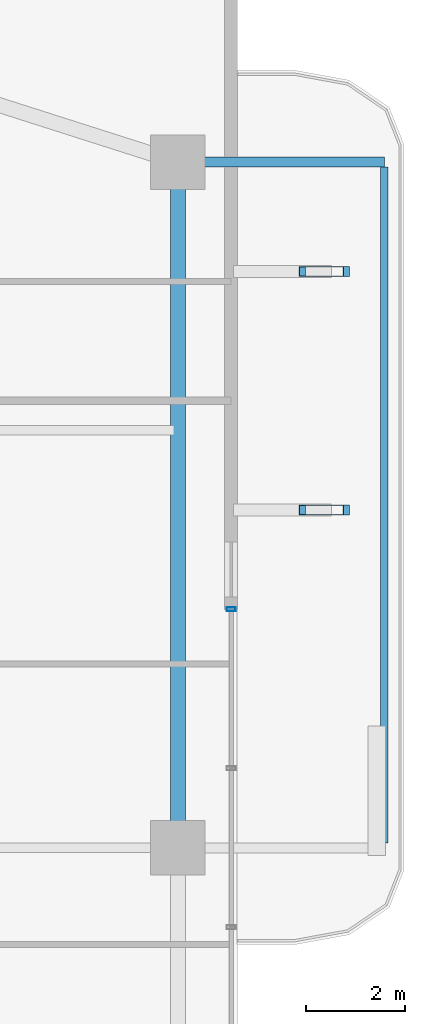
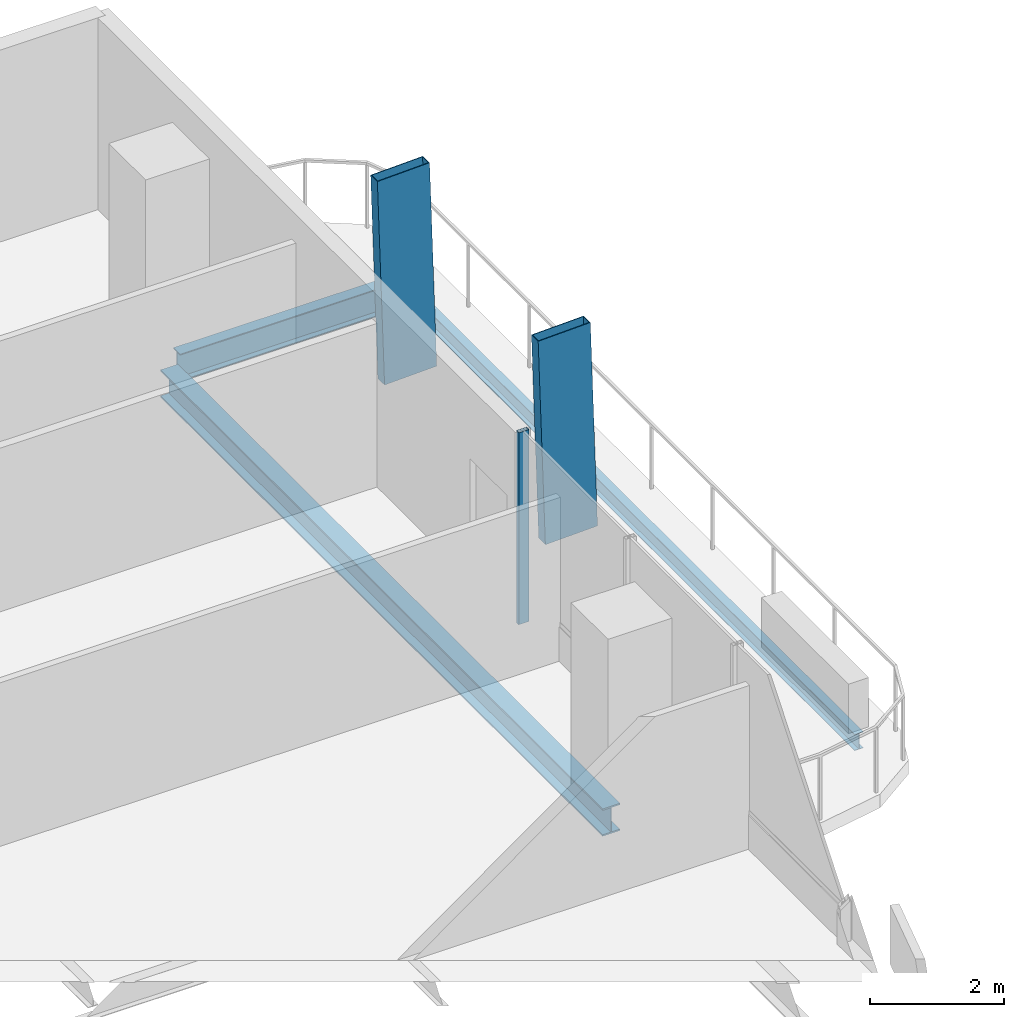
# One storey, part 15 of 25: 3 beams, 3 members, 1 element without a shape of its own.
"""IFC4 building model written with IfcOpenShell, lengths in metres."""

import ifcopenshell
import ifcopenshell.guid

model = None  # the IFC model being written
_history = None  # IfcOwnerHistory: only IFC2X3 demands one
_inside = {}  # id of a spatial element -> (the spatial element, [elements in it])
_under = {}  # id of a project, library or spatial element -> (it, [spatial elements below it])
_declared = {}  # id of a project -> (the project, [libraries it declares])
_typed = {}  # id of a type object -> (the type object, [elements of that type])
_made_of = {}  # id of a material, layer set ... -> (it, [elements and type objects made of it])


def new_model(schema):
    """Start an empty IFC model of exactly this schema.

    Asked for "IFC4X3", IfcOpenShell would pick the latest addendum, in which some entities
    have other attributes; the version numbers below select the first issue.
    IFC2X3 requires an IfcOwnerHistory on every rooted entity: one is made here for all.
    """
    global model, _history
    if schema == "IFC4X3":
        model = ifcopenshell.file(schema_version=(4, 3, 0, 0))
    else:
        model = ifcopenshell.file(schema=schema)
    _inside.clear()
    _under.clear()
    _declared.clear()
    _typed.clear()
    _made_of.clear()
    _history = None
    if model.schema == "IFC2X3":
        org = make("IfcOrganization", Name="unknown")
        user = make(
            "IfcPersonAndOrganization",
            ThePerson=make("IfcPerson", FamilyName="unknown"),
            TheOrganization=org,
        )
        app = make(
            "IfcApplication",
            ApplicationDeveloper=org,
            Version="unknown",
            ApplicationFullName="unknown",
            ApplicationIdentifier="unknown",
        )
        _history = make(
            "IfcOwnerHistory",
            OwningUser=user,
            OwningApplication=app,
            ChangeAction="ADDED",
            CreationDate=0,
        )
    return model


def make(cls, **values):
    """One entity of the class cls with the attributes given. An attribute that is None is left unset."""
    return model.create_entity(
        cls, **{name: value for name, value in values.items() if value is not None}
    )


def rooted(cls, **values):
    """An entity with a GlobalId (a new one), such as an element, a storey or a relation."""
    return make(cls, GlobalId=ifcopenshell.guid.new(), OwnerHistory=_history, **values)


def si_unit(unit_type, name, prefix=None):
    """IfcSIUnit, for example si_unit("LENGTHUNIT", "METRE", prefix="MILLI")."""
    return make("IfcSIUnit", UnitType=unit_type, Prefix=prefix, Name=name)


def assignment(units):
    """IfcUnitAssignment: the units of a project."""
    return None if units is None else make("IfcUnitAssignment", Units=units)


def point(xyz):
    """IfcCartesianPoint."""
    return None if xyz is None else make("IfcCartesianPoint", Coordinates=xyz)


def direction(xyz):
    """IfcDirection."""
    return None if xyz is None else make("IfcDirection", DirectionRatios=xyz)


def frame(location, z_axis=None, x_axis=None):
    """IfcAxis2Placement3D, a coordinate frame: its origin and axes. An axis left out is left unset."""
    return make(
        "IfcAxis2Placement3D",
        Location=point(location),
        Axis=direction(z_axis),
        RefDirection=direction(x_axis),
    )


def frame_2d(location, x_axis=None):
    """IfcAxis2Placement2D, a coordinate frame in the plane: its origin and x axis."""
    return make(
        "IfcAxis2Placement2D", Location=point(location), RefDirection=direction(x_axis)
    )


def origin():
    """The frame at (0, 0, 0) with its axes left unset."""
    return frame((0.0, 0.0, 0.0))


def origin_2d():
    """The frame at (0, 0) in the plane with its x axis left unset."""
    return frame_2d((0.0, 0.0))


def place(relative_to, where):
    """IfcLocalPlacement: puts the frame where relative to a parent placement (None: the world)."""
    return make(
        "IfcLocalPlacement", PlacementRelTo=relative_to, RelativePlacement=where
    )


def context(
    kind, dimensions, precision=None, world=None, true_north=None, identifier=None
):
    """IfcGeometricRepresentationContext, for example the 3D "Model" context."""
    return make(
        "IfcGeometricRepresentationContext",
        ContextIdentifier=identifier,
        ContextType=kind,
        CoordinateSpaceDimension=dimensions,
        Precision=precision,
        WorldCoordinateSystem=world,
        TrueNorth=true_north,
    )


def subcontext(parent, identifier, kind, view, scale=None):
    """IfcGeometricRepresentationSubContext, for example "Body" below "Model"."""
    return make(
        "IfcGeometricRepresentationSubContext",
        ContextIdentifier=identifier,
        ContextType=kind,
        ParentContext=parent,
        TargetScale=scale,
        TargetView=view,
    )


def project(units=None, contexts=None):
    """IfcProject with its units and contexts."""
    return rooted(
        "IfcProject",
        Name="project",
        RepresentationContexts=contexts,
        UnitsInContext=assignment(units),
    )


def spatial(cls, under=None, at=None, **own):
    """A site, building, storey or space (cls), placed at a placement, below another one or the project."""
    s = rooted(cls, ObjectPlacement=at, **own)
    if under is not None:
        _under.setdefault(under.id(), (under, []))[1].append(s)
    return s


def profile(cls, at=None, kind="AREA", **sizes):
    """A parametric profile (cls). Its sizes go by their IFC names, for example OverallWidth=200.0."""
    return make(cls, ProfileType=kind, Position=at, **sizes)


def hollow_rectangle(**sizes):
    """IfcRectangleHollowProfileDef."""
    return profile("IfcRectangleHollowProfileDef", **sizes)


def i_section(**sizes):
    """IfcIShapeProfileDef."""
    return profile("IfcIShapeProfileDef", **sizes)


def extrude(swept, where, along, depth):
    """IfcExtrudedAreaSolid: the profile swept, set in the frame where, extruded along a direction by depth."""
    return make(
        "IfcExtrudedAreaSolid",
        SweptArea=swept,
        Position=where,
        ExtrudedDirection=direction(along),
        Depth=depth,
    )


def shape(context_of_items, identifier, shape_type, items):
    """IfcShapeRepresentation: the items that make up one representation, for example the "Body"."""
    return make(
        "IfcShapeRepresentation",
        ContextOfItems=context_of_items,
        RepresentationIdentifier=identifier,
        RepresentationType=shape_type,
        Items=items,
    )


def material(Name=None, Category=None):
    """IfcMaterial."""
    return make("IfcMaterial", Name=Name, Category=Category)


def layer(
    of_material, thickness, ventilated=None, Name=None, Category=None, Priority=None
):
    """IfcMaterialLayer: one layer of a wall or slab, of a material (None: an air gap)."""
    return make(
        "IfcMaterialLayer",
        Material=of_material,
        LayerThickness=thickness,
        IsVentilated=ventilated,
        Name=Name,
        Category=Category,
        Priority=Priority,
    )


def layer_set(layers, Name=None):
    """IfcMaterialLayerSet."""
    return make("IfcMaterialLayerSet", MaterialLayers=layers, LayerSetName=Name)


def material_profile(
    of_material, cross_section, Name=None, Category=None, Priority=None
):
    """IfcMaterialProfile: a cross section and its material."""
    return make(
        "IfcMaterialProfile",
        Name=Name,
        Material=of_material,
        Profile=cross_section,
        Priority=Priority,
        Category=Category,
    )


def profile_set(profiles, Name=None, composite=None):
    """IfcMaterialProfileSet."""
    return make(
        "IfcMaterialProfileSet",
        Name=Name,
        MaterialProfiles=profiles,
        CompositeProfile=composite,
    )


def made_of(thing, what):
    """Note that an element or type object is made of a material, layer set ...; save() writes the relation."""
    if what is not None:
        _made_of.setdefault(what.id(), (what, []))[1].append(thing)
    return thing


def type_object(cls, material=None, **own):
    """A type object (cls), such as IfcWallType, which elements share."""
    return made_of(rooted(cls, **own), material)


def element(
    cls,
    number,
    at=None,
    inside=None,
    cuts=None,
    type_object=None,
    material=None,
    context=None,
    identifier="Body",
    shape_type=None,
    held_by="IfcProductDefinitionShape",
    body=None,
    shapes=None,
    **own,
):
    """One element of the class cls, such as IfcWall. Its Tag is "e" and its number.

    at: its placement. inside: the storey or other place that contains it. cuts: it is an
    opening in that element (IfcRelVoidsElement). A single representation is given by context,
    identifier, shape_type and body (its items); several are given by shapes. held_by: the class
    of the entity that holds the representations. save() writes the other relations.
    """
    e = rooted(cls, Tag="e%d" % number, ObjectPlacement=at, **own)
    if body is not None:
        shapes = [shape(context, identifier, shape_type, body)]
    if shapes is not None:
        e.Representation = make(held_by, Representations=shapes)
    if inside is not None:
        _inside.setdefault(inside.id(), (inside, []))[1].append(e)
    if cuts is not None:
        rooted(
            "IfcRelVoidsElement", RelatingBuildingElement=cuts, RelatedOpeningElement=e
        )
    if type_object is not None:
        _typed.setdefault(type_object.id(), (type_object, []))[1].append(e)
    return made_of(e, material)


def aggregate(whole, parts):
    """IfcRelAggregates: a whole, such as a stair, and the parts it consists of."""
    return rooted("IfcRelAggregates", RelatingObject=whole, RelatedObjects=parts)


def save(model, path):
    """Write the relations noted so far, then the file.

    IfcRelAggregates (storeys below a building ...), IfcRelContainedInSpatialStructure (elements
    in a storey), IfcRelDefinesByType, IfcRelAssociatesMaterial and IfcRelDeclares: one each for
    every whole, place, type object, material and project.
    """
    for whole, parts in _under.values():
        aggregate(whole, parts)
    for where, things in _inside.values():
        rooted(
            "IfcRelContainedInSpatialStructure",
            RelatedElements=things,
            RelatingStructure=where,
        )
    for kind, things in _typed.values():
        rooted("IfcRelDefinesByType", RelatedObjects=things, RelatingType=kind)
    for what, things in _made_of.values():
        rooted("IfcRelAssociatesMaterial", RelatedObjects=things, RelatingMaterial=what)
    for by, libraries in _declared.values():
        rooted("IfcRelDeclares", RelatingContext=by, RelatedDefinitions=libraries)
    model.write(path)


model = new_model("IFC4")

# Units and contexts
model_context = context("Model", 3, precision=1e-05, world=origin(), true_north=direction((0.0, 1.0)))
body_context = subcontext(model_context, "Body", "Model", "MODEL_VIEW")
ifc_project = project(units=[si_unit("LENGTHUNIT", "METRE"), si_unit("AREAUNIT", "SQUARE_METRE"), si_unit("VOLUMEUNIT", "CUBIC_METRE"), si_unit("PLANEANGLEUNIT", "RADIAN"), si_unit("MASSUNIT", "GRAM", prefix="KILO")], contexts=[model_context])

# Site, building, storey
site_placement = place(None, origin())
site = spatial("IfcSite", under=ifc_project, at=site_placement, CompositionType="ELEMENT")
building_placement = place(site_placement, origin())
building = spatial("IfcBuilding", under=site, at=building_placement, Name="Belovzor Exchange Tower", CompositionType="ELEMENT")
storey_placement = place(building_placement, frame((0.0, 0.0, 142.050048828125)))
storey = spatial("IfcBuildingStorey", under=building, at=storey_placement, Name="L34", CompositionType="ELEMENT", Elevation=142.050048828125)

# Beams
ifc_material_1 = material(Name="Steel S355", Category="steel")
ifc_material_profile_1 = material_profile(ifc_material_1, i_section(OverallWidth=0.199951171875, OverallDepth=0.5, WebThickness=0.01025390625, FlangeThickness=0.01611328125, at=origin_2d()))
ifc_profile_set_1 = profile_set([ifc_material_profile_1], Name="Steel S355")
beam_type_1 = type_object("IfcBeamType", Name="Planted Balcony Cantilever Beam IPE 500", PredefinedType="BEAM", material=ifc_profile_set_1)
beam_1_placement = place(storey_placement, frame((52.202880859375, 42.60009765625, -0.505126953125), z_axis=(1.0, 0.0, 0.0), x_axis=(0.0, 1.0, 0.0)))
element("IfcBeam", 1, at=beam_1_placement, inside=storey, type_object=beam_type_1, Name="BC-500 Planted Balcony Cantilever Beam IPE 500", PredefinedType="BEAM", context=body_context, shape_type="SweptSolid", body=[
    extrude(i_section(OverallWidth=0.199951171875, OverallDepth=0.5, WebThickness=0.01025390625, FlangeThickness=0.01611328125, at=origin_2d()), origin(), (0.0, 0.0, 1.0), 3.85009765625),
])
ifc_material_2 = material(Name="Steel S355", Category="steel")
ifc_material_profile_2 = material_profile(ifc_material_2, i_section(OverallWidth=0.14990234375, OverallDepth=0.300048828125, WebThickness=0.007080078125, FlangeThickness=0.0107421875, at=origin_2d()))
ifc_profile_set_2 = profile_set([ifc_material_profile_2], Name="Steel S355")
beam_type_2 = type_object("IfcBeamType", Name="Planted Balcony Fascia Edge Beam IPE 300", PredefinedType="BEAM", material=ifc_profile_set_2)
beam_2_placement = place(storey_placement, frame((56.052978515625, 28.89990234375, -0.405029296875), z_axis=(0.0, 1.0, 0.0), x_axis=(-1.0, 0.0, 0.0)))
element("IfcBeam", 2, at=beam_2_placement, inside=storey, type_object=beam_type_2, Name="BC-300 Planted Balcony Fascia Edge Beam IPE 300", PredefinedType="BEAM", context=body_context, shape_type="SweptSolid", body=[
    extrude(i_section(OverallWidth=0.14990234375, OverallDepth=0.300048828125, WebThickness=0.007080078125, FlangeThickness=0.0107421875, at=origin_2d()), origin(), (0.0, 0.0, 1.0), 13.60009765625),
])

# Members
ifc_material_3 = material(Name="Extruded Architectural Terracotta on Steel S355 Carrier", Category="masonry")
ifc_material_profile_3 = material_profile(ifc_material_3, hollow_rectangle(XDim=0.199951171875, YDim=0.89990234375, WallThickness=0.011962890625, at=origin_2d()))
ifc_profile_set_3 = profile_set([ifc_material_profile_3], Name="Extruded Architectural Terracotta on Steel S355 Carrier")
member_type_1 = type_object("IfcMemberType", Name="Sweeping Terracotta Baguette Fin Assembly 1250", PredefinedType="USERDEFINED", material=ifc_profile_set_3)
for number, where, z_axis, x_axis, name in (
    (3, (54.906982421875, 35.60009765625, -0.255126953125), (-0.033054843619, 0.0, 0.999453539347), (0.0, -1.0, 0.0), "FIN-TC125 Terracotta Facade Fin L34 E3"),
    (4, (54.906982421875, 40.39990234375, -0.255126953125), (-0.033054843619, 0.0, 0.999453539347), (0.0, -1.0, 0.0), "FIN-TC125 Terracotta Facade Fin L34 E4"),
):
    element("IfcMember", number, at=place(storey_placement, frame(where, z_axis=z_axis, x_axis=x_axis)), inside=storey, type_object=member_type_1, Name=name, ObjectType="FIN", PredefinedType="USERDEFINED", context=body_context, shape_type="SweptSolid", body=[
        extrude(hollow_rectangle(XDim=0.199951171875, YDim=0.89990234375, WallThickness=0.011962890625, at=origin_2d()), origin(), (0.0, 0.0, 1.0), 3.751953125),
    ])

# Curtain wall, member
ifc_material_4 = material(Name="Anodised Aluminium Framing", Category="aluminium")
ifc_layer = layer(ifc_material_4, 0.179931640625)
ifc_layer_set = layer_set([ifc_layer], Name="Anodised Aluminium Framing")
curtain_wall_type = type_object("IfcCurtainWallType", Name="Recessed Loggia Low-Iron Triple-Glazed Curtain Wall", PredefinedType="NOTDEFINED", material=ifc_layer_set)
curtain_wall_placement = place(storey_placement, origin())
curtain_wall = element("IfcCurtainWall", 5, at=curtain_wall_placement, inside=storey, type_object=curtain_wall_type, Name="CW3 Recessed Loggia Low-Iron Triple-Glazed Curtain Wall L34", PredefinedType="NOTDEFINED")
ifc_material_5 = material(Name="Steel S355", Category="steel")
ifc_material_profile_4 = material_profile(ifc_material_5, hollow_rectangle(XDim=0.074951171875, YDim=0.179931640625, WallThickness=0.0048828125, at=origin_2d()))
ifc_profile_set_4 = profile_set([ifc_material_profile_4], Name="Steel S355")
member_type_2 = type_object("IfcMemberType", Name="Thermally Broken Curtain Wall Mullion 180x75", PredefinedType="MULLION", material=ifc_profile_set_4)
member_placement = place(storey_placement, frame((52.969970703125, 33.60009765625, 0.0), z_axis=(0.0, 0.0, 1.0), x_axis=(0.0, -1.0, 0.0)))
member = element("IfcMember", 6, at=member_placement, type_object=member_type_2, Name="CW-M180 Curtain Wall Mullion 1", PredefinedType="MULLION", context=body_context, shape_type="SweptSolid", body=[
    extrude(hollow_rectangle(XDim=0.074951171875, YDim=0.179931640625, WallThickness=0.0048828125, at=origin_2d()), origin(), (0.0, 0.0, 1.0), 3.494873046875),
])
aggregate(curtain_wall, [member])

# Beam
ifc_material_6 = material(Name="Steel S355", Category="steel")
ifc_material_profile_5 = material_profile(ifc_material_6, i_section(OverallWidth=0.300048828125, OverallDepth=0.5, WebThickness=0.014404296875, FlangeThickness=0.028076171875, at=origin_2d()))
ifc_profile_set_5 = profile_set([ifc_material_profile_5], Name="Steel S355")
beam_type_3 = type_object("IfcBeamType", Name="Zone 3 Waist Primary Girder HEB 500", PredefinedType="BEAM", material=ifc_profile_set_5)
beam_3_placement = place(storey_placement, frame((51.89990234375, 29.10205078125, -0.505126953125), z_axis=(0.0, 1.0, 0.0), x_axis=(-1.0, 0.0, 0.0)))
element("IfcBeam", 7, at=beam_3_placement, inside=storey, type_object=beam_type_3, Name="FG-Z3 Zone 3 Waist Primary Girder HEB 500", PredefinedType="BEAM", context=body_context, shape_type="SweptSolid", body=[
    extrude(i_section(OverallWidth=0.300048828125, OverallDepth=0.5, WebThickness=0.014404296875, FlangeThickness=0.028076171875, at=origin_2d()), origin(), (0.0, 0.0, 1.0), 13.195068359375),
])

save(model, "model.ifc")
